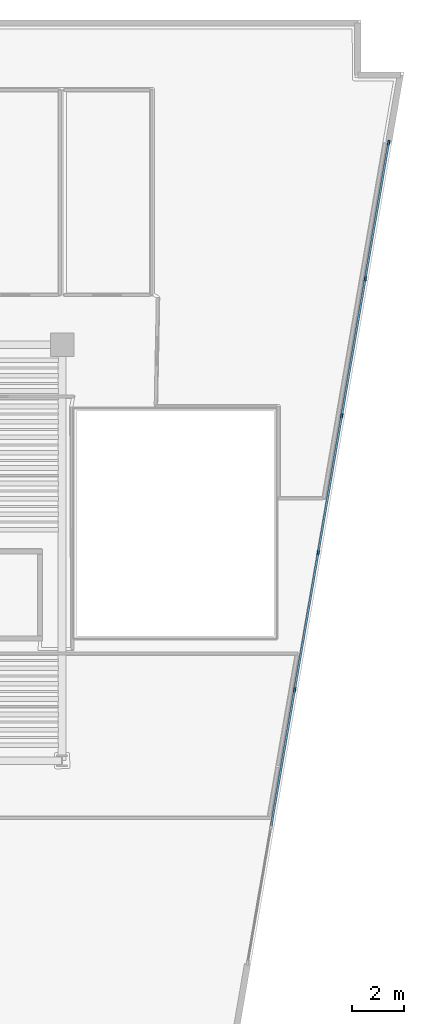
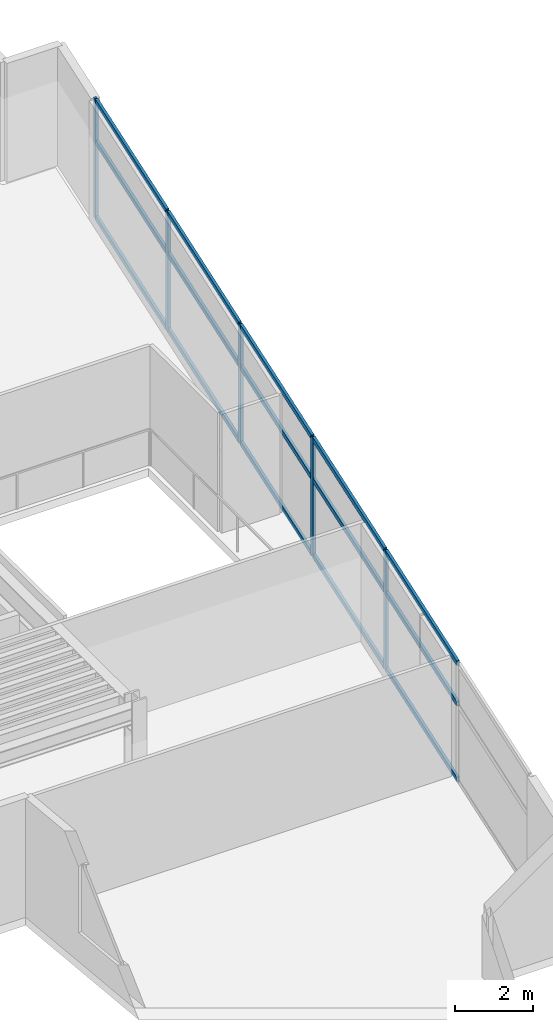
# One storey, part 2 of 9: 20 members, 1 element without a shape of its own.
"""IFC4 building model written with IfcOpenShell, lengths in metres."""

from ifc_helpers import new_model, si_unit, direction, frame, origin, origin_2d, place, context, subcontext, project, spatial, rectangle, extrude, material, layer, layer_set, material_profile, profile_set, type_object, element, aggregate, save


model = new_model("IFC4")

# Units and contexts
model_context = context("Model", 3, precision=1e-05, world=origin(), true_north=direction((0.0, 1.0)))
body_context = subcontext(model_context, "Body", "Model", "MODEL_VIEW")
ifc_project = project(units=[si_unit("LENGTHUNIT", "METRE"), si_unit("AREAUNIT", "SQUARE_METRE"), si_unit("VOLUMEUNIT", "CUBIC_METRE"), si_unit("PLANEANGLEUNIT", "RADIAN"), si_unit("MASSUNIT", "GRAM", prefix="KILO")], contexts=[model_context])

# Site, building, storey
site_placement = place(None, origin())
site = spatial("IfcSite", under=ifc_project, at=site_placement, CompositionType="ELEMENT")
building_placement = place(site_placement, origin())
building = spatial("IfcBuilding", under=site, at=building_placement, Name="Caeloran Harvest Quay", CompositionType="ELEMENT")
storey_placement = place(building_placement, frame((0.0, 0.0, 231.14990234375)))
storey = spatial("IfcBuildingStorey", under=building, at=storey_placement, Name="L55", CompositionType="ELEMENT", Elevation=231.14990234375)

# Curtain wall, members
ifc_material_1 = material(Name="Aluminium 6063-T6 and Low-E Glazing", Category="aluminium")
ifc_layer = layer(ifc_material_1, 0.2099609375, Name="Aluminium 6063-T6 and Low-E Glazing")
ifc_layer_set = layer_set([ifc_layer], Name="Aluminium 6063-T6 and Low-E Glazing")
curtain_wall_type = type_object("IfcCurtainWallType", Name="CW-SYS-CW-4", PredefinedType="USERDEFINED", material=ifc_layer_set)
curtain_wall_placement = place(storey_placement, origin())
curtain_wall = element("IfcCurtainWall", 1, at=curtain_wall_placement, inside=storey, type_object=curtain_wall_type, Name="L55 Unitised Curtain Wall CW-4 Run 9", ObjectType="CURTAIN_WALL", PredefinedType="USERDEFINED")
ifc_material_2 = material(Name="Aluminium 6063-T6", Category="aluminium")
ifc_material_profile_1 = material_profile(ifc_material_2, rectangle(XDim=0.080078125, YDim=0.179931640625, at=origin_2d()), Name="CW-MULLION-180")
ifc_profile_set_1 = profile_set([ifc_material_profile_1], Name="Aluminium 6063-T6")
member_type_1 = type_object("IfcMemberType", Name="CW-MULLION-180", PredefinedType="MULLION", material=ifc_profile_set_1)
member_1_placement = place(storey_placement, frame((46.566650390625, 38.778076171875, 0.0), z_axis=(0.0, 0.0, 1.0), x_axis=(0.985548890759, -0.169391215605, 0.0)))
member_1 = element("IfcMember", 2, at=member_1_placement, type_object=member_type_1, Name="CW-4 mullion 1", PredefinedType="MULLION", context=body_context, shape_type="SweptSolid", body=[
    extrude(rectangle(XDim=0.080078125, YDim=0.179931640625, at=origin_2d()), origin(), (0.0, 0.0, 1.0), 3.7001953125),
])
member_2_placement = place(storey_placement, frame((45.667236328125, 33.545166015625, 0.0), z_axis=(0.0, 0.0, 1.0), x_axis=(0.985548890759, -0.169391215605, 0.0)))
member_2 = element("IfcMember", 3, at=member_2_placement, type_object=member_type_1, Name="CW-4 mullion 2", PredefinedType="MULLION", context=body_context, shape_type="SweptSolid", body=[
    extrude(rectangle(XDim=0.080078125, YDim=0.179931640625, at=origin_2d()), origin(), (0.0, 0.0, 1.0), 3.7001953125),
])
member_3_placement = place(storey_placement, frame((44.760986328125, 28.2724609375, 0.0), z_axis=(0.0, 0.0, 1.0), x_axis=(0.985548890759, -0.169391215605, 0.0)))
member_3 = element("IfcMember", 4, at=member_3_placement, type_object=member_type_1, Name="CW-4 mullion 3", PredefinedType="MULLION", context=body_context, shape_type="SweptSolid", body=[
    extrude(rectangle(XDim=0.080078125, YDim=0.179931640625, at=origin_2d()), origin(), (0.0, 0.0, 1.0), 3.7001953125),
])
member_4_placement = place(storey_placement, frame((43.854736328125, 23.0, 0.0), z_axis=(0.0, 0.0, 1.0), x_axis=(0.985548890759, -0.169391215605, 0.0)))
member_4 = element("IfcMember", 5, at=member_4_placement, type_object=member_type_1, Name="CW-4 mullion 4", PredefinedType="MULLION", context=body_context, shape_type="SweptSolid", body=[
    extrude(rectangle(XDim=0.080078125, YDim=0.179931640625, at=origin_2d()), origin(), (0.0, 0.0, 1.0), 3.7001953125),
])
member_5_placement = place(storey_placement, frame((42.948486328125, 17.7275390625, 0.0), z_axis=(0.0, 0.0, 1.0), x_axis=(0.985548890759, -0.169391215605, 0.0)))
member_5 = element("IfcMember", 6, at=member_5_placement, type_object=member_type_1, Name="CW-4 mullion 5", PredefinedType="MULLION", context=body_context, shape_type="SweptSolid", body=[
    extrude(rectangle(XDim=0.080078125, YDim=0.179931640625, at=origin_2d()), origin(), (0.0, 0.0, 1.0), 3.7001953125),
])
ifc_material_profile_2 = material_profile(ifc_material_2, rectangle(XDim=0.080078125, YDim=0.14990234375, at=origin_2d()), Name="CW-TRANSOM-150")
ifc_profile_set_2 = profile_set([ifc_material_profile_2], Name="Aluminium 6063-T6")
member_type_2 = type_object("IfcMemberType", Name="CW-TRANSOM-150", PredefinedType="USERDEFINED", material=ifc_profile_set_2)
member_6_placement = place(storey_placement, frame((46.559814453125, 38.73876953125, 0.0400390625), z_axis=(-0.169362876348, -0.985553761149, 0.0), x_axis=(0.985553761149, -0.169362876348, 0.0)))
member_6 = element("IfcMember", 7, at=member_6_placement, type_object=member_type_2, Name="CW-4 transom 1.1", ObjectType="TRANSOM", PredefinedType="USERDEFINED", context=body_context, shape_type="SweptSolid", body=[
    extrude(rectangle(XDim=0.080078125, YDim=0.14990234375, at=origin_2d()), origin(), (0.0, 0.0, 1.0), 5.229736328125),
])
member_7_placement = place(storey_placement, frame((46.559814453125, 38.73876953125, 2.400146484375), z_axis=(-0.169362876348, -0.985553761149, 0.0), x_axis=(0.985553761149, -0.169362876348, 0.0)))
member_7 = element("IfcMember", 8, at=member_7_placement, type_object=member_type_2, Name="CW-4 transom 1.2", ObjectType="TRANSOM", PredefinedType="USERDEFINED", context=body_context, shape_type="SweptSolid", body=[
    extrude(rectangle(XDim=0.080078125, YDim=0.14990234375, at=origin_2d()), origin(), (0.0, 0.0, 1.0), 5.229736328125),
])
member_8_placement = place(storey_placement, frame((46.559814453125, 38.73876953125, 3.66015625), z_axis=(-0.169362876348, -0.985553761149, 0.0), x_axis=(0.985553761149, -0.169362876348, 0.0)))
member_8 = element("IfcMember", 9, at=member_8_placement, type_object=member_type_2, Name="CW-4 transom 1.3", ObjectType="TRANSOM", PredefinedType="USERDEFINED", context=body_context, shape_type="SweptSolid", body=[
    extrude(rectangle(XDim=0.080078125, YDim=0.14990234375, at=origin_2d()), origin(), (0.0, 0.0, 1.0), 5.229736328125),
])
member_9_placement = place(storey_placement, frame((45.660400390625, 33.505615234375, 0.0400390625), z_axis=(-0.169377856385, -0.985551186782, 0.0), x_axis=(0.985551186782, -0.169377856385, 0.0)))
member_9 = element("IfcMember", 10, at=member_9_placement, type_object=member_type_2, Name="CW-4 transom 2.1", ObjectType="TRANSOM", PredefinedType="USERDEFINED", context=body_context, shape_type="SweptSolid", body=[
    extrude(rectangle(XDim=0.080078125, YDim=0.14990234375, at=origin_2d()), origin(), (0.0, 0.0, 1.0), 5.269775390625),
])
member_10_placement = place(storey_placement, frame((45.660400390625, 33.505615234375, 2.400146484375), z_axis=(-0.169377856385, -0.985551186782, 0.0), x_axis=(0.985551186782, -0.169377856385, 0.0)))
member_10 = element("IfcMember", 11, at=member_10_placement, type_object=member_type_2, Name="CW-4 transom 2.2", ObjectType="TRANSOM", PredefinedType="USERDEFINED", context=body_context, shape_type="SweptSolid", body=[
    extrude(rectangle(XDim=0.080078125, YDim=0.14990234375, at=origin_2d()), origin(), (0.0, 0.0, 1.0), 5.269775390625),
])
member_11_placement = place(storey_placement, frame((45.660400390625, 33.505615234375, 3.66015625), z_axis=(-0.169377856385, -0.985551186782, 0.0), x_axis=(0.985551186782, -0.169377856385, 0.0)))
member_11 = element("IfcMember", 12, at=member_11_placement, type_object=member_type_2, Name="CW-4 transom 2.3", ObjectType="TRANSOM", PredefinedType="USERDEFINED", context=body_context, shape_type="SweptSolid", body=[
    extrude(rectangle(XDim=0.080078125, YDim=0.14990234375, at=origin_2d()), origin(), (0.0, 0.0, 1.0), 5.269775390625),
])
member_12_placement = place(storey_placement, frame((44.754150390625, 28.233154296875, 0.0400390625), z_axis=(-0.169370123052, -0.985552515809, 0.0), x_axis=(0.985552515809, -0.169370123052, 0.0)))
member_12 = element("IfcMember", 13, at=member_12_placement, type_object=member_type_2, Name="CW-4 transom 3.1", ObjectType="TRANSOM", PredefinedType="USERDEFINED", context=body_context, shape_type="SweptSolid", body=[
    extrude(rectangle(XDim=0.080078125, YDim=0.14990234375, at=origin_2d()), origin(), (0.0, 0.0, 1.0), 5.27001953125),
])
member_13_placement = place(storey_placement, frame((44.754150390625, 28.233154296875, 2.400146484375), z_axis=(-0.169370123052, -0.985552515809, 0.0), x_axis=(0.985552515809, -0.169370123052, 0.0)))
member_13 = element("IfcMember", 14, at=member_13_placement, type_object=member_type_2, Name="CW-4 transom 3.2", ObjectType="TRANSOM", PredefinedType="USERDEFINED", context=body_context, shape_type="SweptSolid", body=[
    extrude(rectangle(XDim=0.080078125, YDim=0.14990234375, at=origin_2d()), origin(), (0.0, 0.0, 1.0), 5.27001953125),
])
member_14_placement = place(storey_placement, frame((44.754150390625, 28.233154296875, 3.66015625), z_axis=(-0.169370123052, -0.985552515809, 0.0), x_axis=(0.985552515809, -0.169370123052, 0.0)))
member_14 = element("IfcMember", 15, at=member_14_placement, type_object=member_type_2, Name="CW-4 transom 3.3", ObjectType="TRANSOM", PredefinedType="USERDEFINED", context=body_context, shape_type="SweptSolid", body=[
    extrude(rectangle(XDim=0.080078125, YDim=0.14990234375, at=origin_2d()), origin(), (0.0, 0.0, 1.0), 5.27001953125),
])
member_15_placement = place(storey_placement, frame((43.847900390625, 22.960693359375, 0.0400390625), z_axis=(-0.169370123052, -0.985552515809, 0.0), x_axis=(0.985552515809, -0.169370123052, 0.0)))
member_15 = element("IfcMember", 16, at=member_15_placement, type_object=member_type_2, Name="CW-4 transom 4.1", ObjectType="TRANSOM", PredefinedType="USERDEFINED", context=body_context, shape_type="SweptSolid", body=[
    extrude(rectangle(XDim=0.080078125, YDim=0.14990234375, at=origin_2d()), origin(), (0.0, 0.0, 1.0), 5.27001953125),
])
member_16_placement = place(storey_placement, frame((43.847900390625, 22.960693359375, 2.400146484375), z_axis=(-0.169370123052, -0.985552515809, 0.0), x_axis=(0.985552515809, -0.169370123052, 0.0)))
member_16 = element("IfcMember", 17, at=member_16_placement, type_object=member_type_2, Name="CW-4 transom 4.2", ObjectType="TRANSOM", PredefinedType="USERDEFINED", context=body_context, shape_type="SweptSolid", body=[
    extrude(rectangle(XDim=0.080078125, YDim=0.14990234375, at=origin_2d()), origin(), (0.0, 0.0, 1.0), 5.27001953125),
])
member_17_placement = place(storey_placement, frame((43.847900390625, 22.960693359375, 3.66015625), z_axis=(-0.169370123052, -0.985552515809, 0.0), x_axis=(0.985552515809, -0.169370123052, 0.0)))
member_17 = element("IfcMember", 18, at=member_17_placement, type_object=member_type_2, Name="CW-4 transom 4.3", ObjectType="TRANSOM", PredefinedType="USERDEFINED", context=body_context, shape_type="SweptSolid", body=[
    extrude(rectangle(XDim=0.080078125, YDim=0.14990234375, at=origin_2d()), origin(), (0.0, 0.0, 1.0), 5.27001953125),
])
member_18_placement = place(storey_placement, frame((42.941650390625, 17.68798828125, 0.0400390625), z_axis=(-0.169377856385, -0.985551186782, 0.0), x_axis=(0.985551186782, -0.169377856385, 0.0)))
member_18 = element("IfcMember", 19, at=member_18_placement, type_object=member_type_2, Name="CW-4 transom 5.1", ObjectType="TRANSOM", PredefinedType="USERDEFINED", context=body_context, shape_type="SweptSolid", body=[
    extrude(rectangle(XDim=0.080078125, YDim=0.14990234375, at=origin_2d()), origin(), (0.0, 0.0, 1.0), 5.269775390625),
])
member_19_placement = place(storey_placement, frame((42.941650390625, 17.68798828125, 2.400146484375), z_axis=(-0.169377856385, -0.985551186782, 0.0), x_axis=(0.985551186782, -0.169377856385, 0.0)))
member_19 = element("IfcMember", 20, at=member_19_placement, type_object=member_type_2, Name="CW-4 transom 5.2", ObjectType="TRANSOM", PredefinedType="USERDEFINED", context=body_context, shape_type="SweptSolid", body=[
    extrude(rectangle(XDim=0.080078125, YDim=0.14990234375, at=origin_2d()), origin(), (0.0, 0.0, 1.0), 5.269775390625),
])
member_20_placement = place(storey_placement, frame((42.941650390625, 17.68798828125, 3.66015625), z_axis=(-0.169377856385, -0.985551186782, 0.0), x_axis=(0.985551186782, -0.169377856385, 0.0)))
member_20 = element("IfcMember", 21, at=member_20_placement, type_object=member_type_2, Name="CW-4 transom 5.3", ObjectType="TRANSOM", PredefinedType="USERDEFINED", context=body_context, shape_type="SweptSolid", body=[
    extrude(rectangle(XDim=0.080078125, YDim=0.14990234375, at=origin_2d()), origin(), (0.0, 0.0, 1.0), 5.269775390625),
])
aggregate(curtain_wall, [member_1, member_2, member_3, member_4, member_5, member_6, member_7, member_8, member_9, member_10, member_11, member_12, member_13, member_14, member_15, member_16, member_17, member_18, member_19, member_20])

save(model, "model.ifc")
